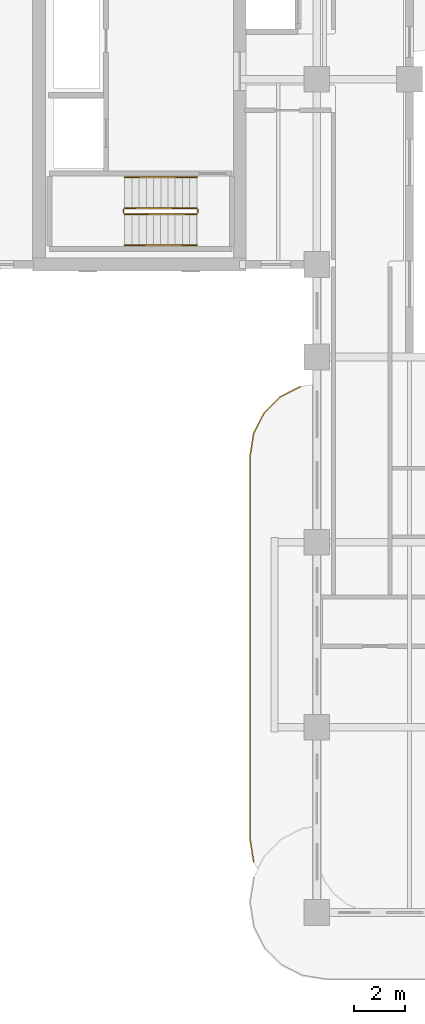
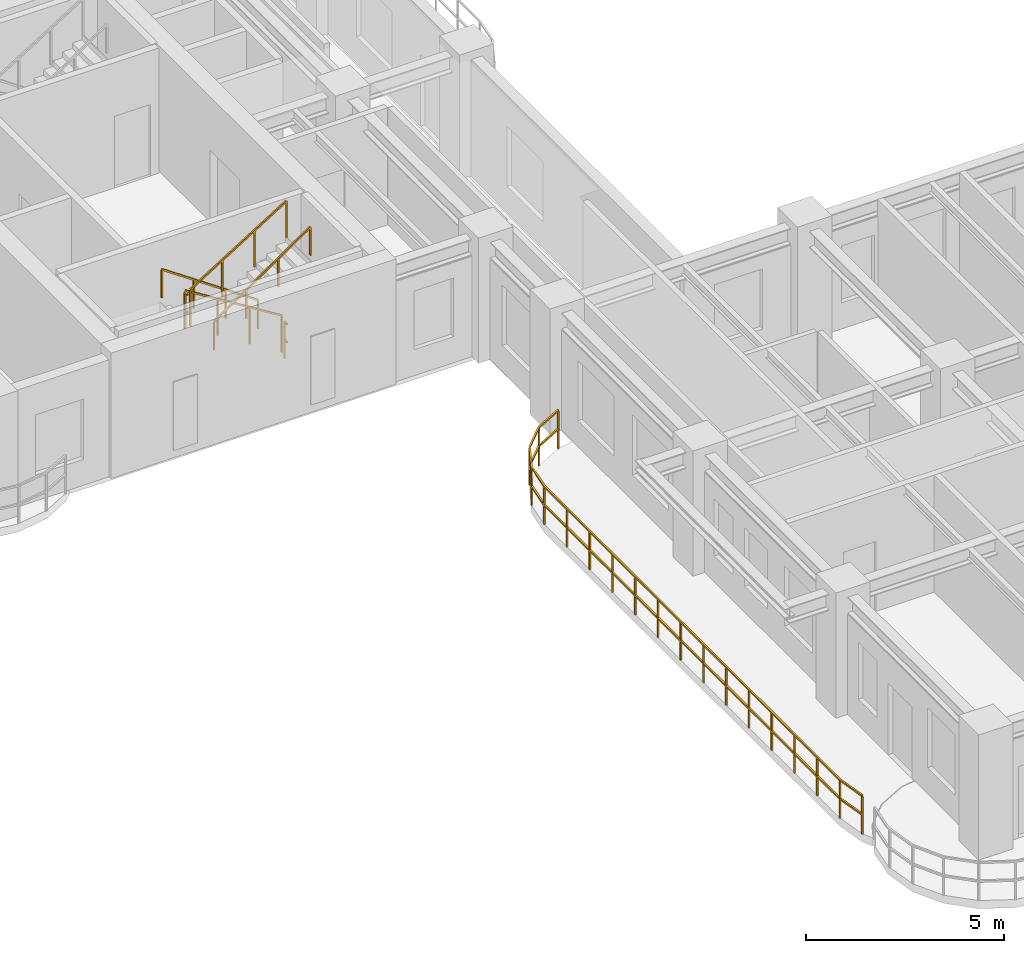
# One storey, part 11 of 15: 7 railings.
"""IFC4 building model written with IfcOpenShell, lengths in metres."""

from ifc_helpers import new_model, si_unit, derived_unit, direction, frame, origin, origin_2d, place, context, subcontext, project, spatial, rectangle, extrude, material, type_object, element, save


model = new_model("IFC4")

# Units and contexts
model_context = context("Model", 3, precision=1e-05, world=origin(), true_north=direction((0.0, 1.0)))
body_context = subcontext(model_context, "Body", "Model", "MODEL_VIEW")
ifc_project = project(units=[si_unit("LENGTHUNIT", "METRE"), si_unit("AREAUNIT", "SQUARE_METRE"), si_unit("VOLUMEUNIT", "CUBIC_METRE"), si_unit("PLANEANGLEUNIT", "RADIAN"), si_unit("MASSUNIT", "GRAM", prefix="KILO"), si_unit("THERMODYNAMICTEMPERATUREUNIT", "KELVIN"), si_unit("POWERUNIT", "WATT"), derived_unit("THERMALTRANSMITTANCEUNIT", [(si_unit("POWERUNIT", "WATT"), 1), (si_unit("AREAUNIT", "SQUARE_METRE"), -1), (si_unit("THERMODYNAMICTEMPERATUREUNIT", "KELVIN"), -1)])], contexts=[model_context])

# Site, building, storey
site_placement = place(None, origin())
site = spatial("IfcSite", under=ifc_project, at=site_placement, CompositionType="ELEMENT")
building_placement = place(site_placement, origin())
building = spatial("IfcBuilding", under=site, at=building_placement, Name="Zahravan Archway Hotel and Residences", CompositionType="ELEMENT")
storey_placement = place(building_placement, frame((0.0, 0.0, 184.949951171875)))
storey = spatial("IfcBuildingStorey", under=building, at=storey_placement, Name="L46", CompositionType="ELEMENT", Elevation=184.949951171875)

# Railings
ifc_material_1 = material(Name="Bronze & Laminated Glass Balustrade", Category="glass")
railing_type_1 = type_object("IfcRailingType", Name="RL-BAL-1200", PredefinedType="BALUSTRADE", material=ifc_material_1)
railing_1_placement = place(storey_placement, frame((11.939453125, 1.96923828125, 0.0)))
element("IfcRailing", 1, at=railing_1_placement, inside=storey, type_object=railing_type_1, Name="L46 Balustrade RL-SLB-BAL-L46-WA-1", PredefinedType="BALUSTRADE", context=body_context, shape_type="SweptSolid", body=[
    extrude(rectangle(XDim=0.048095703125, YDim=0.048095703125, at=origin_2d()), frame((0.0, 0.0, 1.17578125), z_axis=(-0.156314005608, 0.987707411965, 0.0), x_axis=(-0.987707411965, -0.156314005608, 0.0)), (0.0, 0.0, 1.0), 0.891845703125),
    extrude(rectangle(XDim=0.048095703125, YDim=0.048095703125, at=origin_2d()), frame((0.0, 0.0, 0.60009765625), z_axis=(-0.156314005608, 0.987707411965, 0.0), x_axis=(-0.987707411965, -0.156314005608, 0.0)), (0.0, 0.0, 1.0), 0.891845703125),
    extrude(rectangle(XDim=0.048095703125, YDim=0.048095703125, at=origin_2d()), frame((-0.139404296875, 0.880859375, 1.17578125), z_axis=(0.0, 1.0, 0.0), x_axis=(-1.0, 0.0, 0.0)), (0.0, 0.0, 1.0), 14.89990234375),
    extrude(rectangle(XDim=0.048095703125, YDim=0.048095703125, at=origin_2d()), frame((-0.139404296875, 0.880859375, 0.60009765625), z_axis=(0.0, 1.0, 0.0), x_axis=(-1.0, 0.0, 0.0)), (0.0, 0.0, 1.0), 14.89990234375),
    extrude(rectangle(XDim=0.048095703125, YDim=0.048095703125, at=origin_2d()), frame((-0.139404296875, 15.78076171875, 1.17578125), z_axis=(0.156356282588, 0.987700720307, 0.0), x_axis=(-0.987700720307, 0.156356282588, 0.0)), (0.0, 0.0, 1.0), 0.8916015625),
    extrude(rectangle(XDim=0.048095703125, YDim=0.048095703125, at=origin_2d()), frame((-0.139404296875, 15.78076171875, 0.60009765625), z_axis=(0.156356282588, 0.987700720307, 0.0), x_axis=(-0.987700720307, 0.156356282588, 0.0)), (0.0, 0.0, 1.0), 0.8916015625),
    extrude(rectangle(XDim=0.048095703125, YDim=0.048095703125, at=origin_2d()), frame((0.0, 16.661376953125, 1.17578125), z_axis=(0.45388067135, 0.891062476022, 0.0), x_axis=(-0.891062476022, 0.45388067135, 0.0)), (0.0, 0.0, 1.0), 0.891845703125),
    extrude(rectangle(XDim=0.048095703125, YDim=0.048095703125, at=origin_2d()), frame((0.0, 16.661376953125, 0.60009765625), z_axis=(0.45388067135, 0.891062476022, 0.0), x_axis=(-0.891062476022, 0.45388067135, 0.0)), (0.0, 0.0, 1.0), 0.891845703125),
    extrude(rectangle(XDim=0.048095703125, YDim=0.048095703125, at=origin_2d()), frame((0.40478515625, 17.4560546875, 1.17578125), z_axis=(0.70724367147, 0.706969864397, 0.0), x_axis=(-0.706969864397, 0.70724367147, 0.0)), (0.0, 0.0, 1.0), 0.8916015625),
    extrude(rectangle(XDim=0.048095703125, YDim=0.048095703125, at=origin_2d()), frame((0.40478515625, 17.4560546875, 0.60009765625), z_axis=(0.70724367147, 0.706969864397, 0.0), x_axis=(-0.706969864397, 0.70724367147, 0.0)), (0.0, 0.0, 1.0), 0.8916015625),
    extrude(rectangle(XDim=0.048095703125, YDim=0.048095703125, at=origin_2d()), frame((1.035400390625, 18.08642578125, 1.17578125), z_axis=(0.891006060389, 0.453991409995, 0.0), x_axis=(-0.453991409995, 0.891006060389, 0.0)), (0.0, 0.0, 1.0), 0.8916015625),
    extrude(rectangle(XDim=0.048095703125, YDim=0.048095703125, at=origin_2d()), frame((1.035400390625, 18.08642578125, 0.60009765625), z_axis=(0.891006060389, 0.453991409995, 0.0), x_axis=(-0.453991409995, 0.891006060389, 0.0)), (0.0, 0.0, 1.0), 0.8916015625),
    extrude(rectangle(XDim=0.0419921875, YDim=0.0419921875, at=origin_2d()), origin(), (0.0, 0.0, 1.0), 1.15185546875),
    extrude(rectangle(XDim=0.0419921875, YDim=0.0419921875, at=origin_2d()), frame((-0.139404296875, 0.880859375, 0.0)), (0.0, 0.0, 1.0), 1.15185546875),
    extrude(rectangle(XDim=0.0419921875, YDim=0.0419921875, at=origin_2d()), frame((-0.139404296875, 2.027099609375, 0.0)), (0.0, 0.0, 1.0), 1.15185546875),
    extrude(rectangle(XDim=0.0419921875, YDim=0.0419921875, at=origin_2d()), frame((-0.139404296875, 3.173095703125, 0.0)), (0.0, 0.0, 1.0), 1.15185546875),
    extrude(rectangle(XDim=0.0419921875, YDim=0.0419921875, at=origin_2d()), frame((-0.139404296875, 4.3193359375, 0.0)), (0.0, 0.0, 1.0), 1.15185546875),
    extrude(rectangle(XDim=0.0419921875, YDim=0.0419921875, at=origin_2d()), frame((-0.139404296875, 5.46533203125, 0.0)), (0.0, 0.0, 1.0), 1.15185546875),
    extrude(rectangle(XDim=0.0419921875, YDim=0.0419921875, at=origin_2d()), frame((-0.139404296875, 6.611572265625, 0.0)), (0.0, 0.0, 1.0), 1.15185546875),
    extrude(rectangle(XDim=0.0419921875, YDim=0.0419921875, at=origin_2d()), frame((-0.139404296875, 7.7578125, 0.0)), (0.0, 0.0, 1.0), 1.15185546875),
    extrude(rectangle(XDim=0.0419921875, YDim=0.0419921875, at=origin_2d()), frame((-0.139404296875, 8.90380859375, 0.0)), (0.0, 0.0, 1.0), 1.15185546875),
    extrude(rectangle(XDim=0.0419921875, YDim=0.0419921875, at=origin_2d()), frame((-0.139404296875, 10.050048828125, 0.0)), (0.0, 0.0, 1.0), 1.15185546875),
    extrude(rectangle(XDim=0.0419921875, YDim=0.0419921875, at=origin_2d()), frame((-0.139404296875, 11.1962890625, 0.0)), (0.0, 0.0, 1.0), 1.15185546875),
    extrude(rectangle(XDim=0.0419921875, YDim=0.0419921875, at=origin_2d()), frame((-0.139404296875, 12.34228515625, 0.0)), (0.0, 0.0, 1.0), 1.15185546875),
    extrude(rectangle(XDim=0.0419921875, YDim=0.0419921875, at=origin_2d()), frame((-0.139404296875, 13.488525390625, 0.0)), (0.0, 0.0, 1.0), 1.15185546875),
    extrude(rectangle(XDim=0.0419921875, YDim=0.0419921875, at=origin_2d()), frame((-0.139404296875, 14.634521484375, 0.0)), (0.0, 0.0, 1.0), 1.15185546875),
    extrude(rectangle(XDim=0.0419921875, YDim=0.0419921875, at=origin_2d()), frame((-0.139404296875, 15.78076171875, 0.0)), (0.0, 0.0, 1.0), 1.15185546875),
    extrude(rectangle(XDim=0.0419921875, YDim=0.0419921875, at=origin_2d()), frame((0.0, 16.661376953125, 0.0)), (0.0, 0.0, 1.0), 1.15185546875),
    extrude(rectangle(XDim=0.0419921875, YDim=0.0419921875, at=origin_2d()), frame((0.40478515625, 17.4560546875, 0.0)), (0.0, 0.0, 1.0), 1.15185546875),
    extrude(rectangle(XDim=0.0419921875, YDim=0.0419921875, at=origin_2d()), frame((1.035400390625, 18.08642578125, 0.0)), (0.0, 0.0, 1.0), 1.15185546875),
    extrude(rectangle(XDim=0.0419921875, YDim=0.0419921875, at=origin_2d()), frame((1.829833984375, 18.4912109375, 0.0)), (0.0, 0.0, 1.0), 1.15185546875),
])
ifc_material_2 = material(Name="Painted Tubular Steel", Category="steel")
railing_type_2 = type_object("IfcRailingType", Name="RL-STG-1150", PredefinedType="GUARDRAIL", material=ifc_material_2)
railing_2_placement = place(storey_placement, frame((9.72998046875, 27.389892578125, 0.175048828125)))
element("IfcRailing", 2, at=railing_2_placement, inside=storey, type_object=railing_type_2, Name="L46 ST-B1 stair guard 1", PredefinedType="GUARDRAIL", context=body_context, shape_type="SweptSolid", body=[
    extrude(rectangle(XDim=0.048095703125, YDim=0.048095703125, at=origin_2d()), frame((0.0, 0.0, 1.1259765625), z_axis=(-0.848002457836, 0.0, 0.529992293815), x_axis=(0.0, -1.0, 0.0)), (0.0, 0.0, 1.0), 3.302001953125),
    extrude(rectangle(XDim=0.0419921875, YDim=0.0419921875, at=origin_2d()), origin(), (0.0, 0.0, 1.0), 1.101806640625),
    extrude(rectangle(XDim=0.0419921875, YDim=0.0419921875, at=origin_2d()), frame((-0.933349609375, 0.0, 0.583251953125)), (0.0, 0.0, 1.0), 1.101806640625),
    extrude(rectangle(XDim=0.0419921875, YDim=0.0419921875, at=origin_2d()), frame((-1.86669921875, 0.0, 1.166748046875)), (0.0, 0.0, 1.0), 1.101806640625),
    extrude(rectangle(XDim=0.0419921875, YDim=0.0419921875, at=origin_2d()), frame((-2.800048828125, 0.0, 1.75)), (0.0, 0.0, 1.0), 1.101806640625),
])
railing_3_placement = place(storey_placement, frame((6.8798828125, 27.340087890625, 1.925048828125)))
element("IfcRailing", 3, at=railing_3_placement, inside=storey, type_object=railing_type_2, Name="L46 ST-B1 stair guard 2", PredefinedType="GUARDRAIL", context=body_context, shape_type="SweptSolid", body=[
    extrude(rectangle(XDim=0.048095703125, YDim=0.048095703125, at=origin_2d()), frame((0.0, 0.0, 1.1259765625), z_axis=(0.0, -1.0, 0.0), x_axis=(1.0, 0.0, 0.0)), (0.0, 0.0, 1.0), 0.14013671875),
    extrude(rectangle(XDim=0.048095703125, YDim=0.048095703125, at=origin_2d()), frame((0.0, 0.0, 0.574951171875), z_axis=(0.0, -1.0, 0.0), x_axis=(1.0, 0.0, 0.0)), (0.0, 0.0, 1.0), 0.14013671875),
    extrude(rectangle(XDim=0.0419921875, YDim=0.0419921875, at=origin_2d()), origin(), (0.0, 0.0, 1.0), 1.101806640625),
])
railing_4_placement = place(storey_placement, frame((6.929931640625, 27.14990234375, 2.10009765625)))
element("IfcRailing", 4, at=railing_4_placement, inside=storey, type_object=railing_type_2, Name="L46 ST-B1 stair guard 3", PredefinedType="GUARDRAIL", context=body_context, shape_type="SweptSolid", body=[
    extrude(rectangle(XDim=0.048095703125, YDim=0.048095703125, at=origin_2d()), frame((0.0, 0.0, 1.1259765625), z_axis=(0.848002457836, 0.0, 0.529992293815), x_axis=(0.0, 1.0, 0.0)), (0.0, 0.0, 1.0), 3.302001953125),
    extrude(rectangle(XDim=0.0419921875, YDim=0.0419921875, at=origin_2d()), origin(), (0.0, 0.0, 1.0), 1.101806640625),
    extrude(rectangle(XDim=0.0419921875, YDim=0.0419921875, at=origin_2d()), frame((0.933349609375, 0.0, 0.583251953125)), (0.0, 0.0, 1.0), 1.101806640625),
    extrude(rectangle(XDim=0.0419921875, YDim=0.0419921875, at=origin_2d()), frame((1.86669921875, 0.0, 1.166748046875)), (0.0, 0.0, 1.0), 1.101806640625),
    extrude(rectangle(XDim=0.0419921875, YDim=0.0419921875, at=origin_2d()), frame((2.800048828125, 0.0, 1.75)), (0.0, 0.0, 1.0), 1.101806640625),
])
railing_5_placement = place(storey_placement, frame((9.780029296875, 27.340087890625, 0.0)))
element("IfcRailing", 5, at=railing_5_placement, inside=storey, type_object=railing_type_2, Name="L46 ST-B1 stair guard 4", PredefinedType="GUARDRAIL", context=body_context, shape_type="SweptSolid", body=[
    extrude(rectangle(XDim=0.048095703125, YDim=0.048095703125, at=origin_2d()), frame((0.0, 0.0, 1.1259765625), z_axis=(0.0, -1.0, 0.0), x_axis=(1.0, 0.0, 0.0)), (0.0, 0.0, 1.0), 0.14013671875),
    extrude(rectangle(XDim=0.048095703125, YDim=0.048095703125, at=origin_2d()), frame((0.0, 0.0, 0.574951171875), z_axis=(0.0, -1.0, 0.0), x_axis=(1.0, 0.0, 0.0)), (0.0, 0.0, 1.0), 0.14013671875),
    extrude(rectangle(XDim=0.0419921875, YDim=0.0419921875, at=origin_2d()), origin(), (0.0, 0.0, 1.0), 1.101806640625),
])
ifc_material_3 = material(Name="Brushed Stainless Steel", Category="steel")
railing_type_3 = type_object("IfcRailingType", Name="RL-STH-900", PredefinedType="HANDRAIL", material=ifc_material_3)
railing_6_placement = place(storey_placement, frame((9.72998046875, 28.590087890625, 0.175048828125)))
element("IfcRailing", 6, at=railing_6_placement, inside=storey, type_object=railing_type_3, Name="L46 ST-B1 stair handrail 1", PredefinedType="HANDRAIL", context=body_context, shape_type="SweptSolid", body=[
    extrude(rectangle(XDim=0.048095703125, YDim=0.048095703125, at=origin_2d()), frame((0.0, 0.0, 0.8759765625), z_axis=(-0.824039827795, 0.0, 0.566531872191), x_axis=(0.0, -1.0, 0.0)), (0.0, 0.0, 1.0), 3.39794921875),
    extrude(rectangle(XDim=0.0419921875, YDim=0.0419921875, at=origin_2d()), origin(), (0.0, 0.0, 1.0), 0.851806640625),
    extrude(rectangle(XDim=0.0419921875, YDim=0.0419921875, at=origin_2d()), frame((-0.933349609375, 0.0, 0.6416015625)), (0.0, 0.0, 1.0), 0.851806640625),
    extrude(rectangle(XDim=0.0419921875, YDim=0.0419921875, at=origin_2d()), frame((-1.86669921875, 0.0, 1.283447265625)), (0.0, 0.0, 1.0), 0.851806640625),
    extrude(rectangle(XDim=0.0419921875, YDim=0.0419921875, at=origin_2d()), frame((-2.800048828125, 0.0, 1.925048828125)), (0.0, 0.0, 1.0), 0.851806640625),
])
railing_7_placement = place(storey_placement, frame((6.929931640625, 25.949951171875, 2.10009765625)))
element("IfcRailing", 7, at=railing_7_placement, inside=storey, type_object=railing_type_3, Name="L46 ST-B1 stair handrail 2", PredefinedType="HANDRAIL", context=body_context, shape_type="SweptSolid", body=[
    extrude(rectangle(XDim=0.048095703125, YDim=0.048095703125, at=origin_2d()), frame((0.0, 0.0, 0.8759765625), z_axis=(0.824039827795, 0.0, 0.566531872191), x_axis=(0.0, 1.0, 0.0)), (0.0, 0.0, 1.0), 3.39794921875),
    extrude(rectangle(XDim=0.0419921875, YDim=0.0419921875, at=origin_2d()), origin(), (0.0, 0.0, 1.0), 0.851806640625),
    extrude(rectangle(XDim=0.0419921875, YDim=0.0419921875, at=origin_2d()), frame((0.933349609375, 0.0, 0.6416015625)), (0.0, 0.0, 1.0), 0.851806640625),
    extrude(rectangle(XDim=0.0419921875, YDim=0.0419921875, at=origin_2d()), frame((1.86669921875, 0.0, 1.283447265625)), (0.0, 0.0, 1.0), 0.851806640625),
    extrude(rectangle(XDim=0.0419921875, YDim=0.0419921875, at=origin_2d()), frame((2.800048828125, 0.0, 1.925048828125)), (0.0, 0.0, 1.0), 0.851806640625),
])

save(model, "model.ifc")
